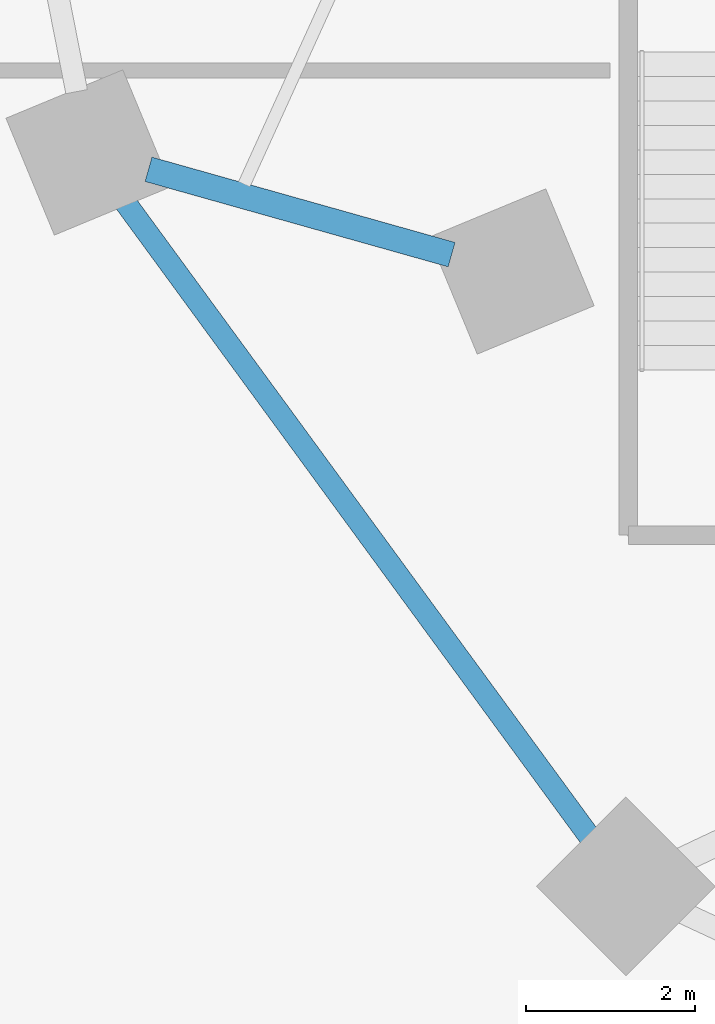
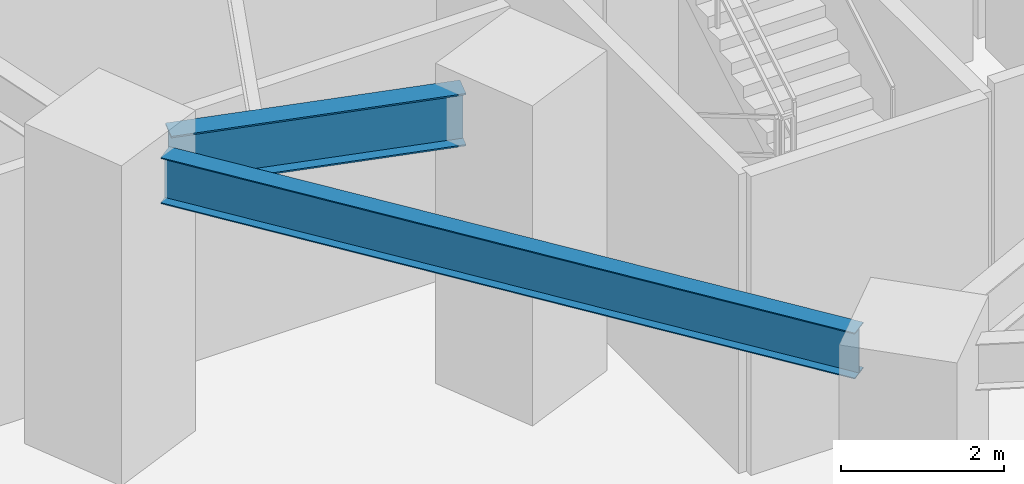
# One storey, part 7 of 36: 2 beams.
"""IFC4 building model written with IfcOpenShell, lengths in metres."""

from ifc_helpers import new_model, si_unit, direction, frame, origin, origin_2d, place, context, subcontext, project, spatial, i_section, extrude, material, material_profile, profile_set, type_object, element, save


model = new_model("IFC4")

# Units and contexts
model_context = context("Model", 3, precision=1e-05, world=origin(), true_north=direction((0.0, 1.0)))
body_context = subcontext(model_context, "Body", "Model", "MODEL_VIEW")
ifc_project = project(units=[si_unit("LENGTHUNIT", "METRE"), si_unit("AREAUNIT", "SQUARE_METRE"), si_unit("VOLUMEUNIT", "CUBIC_METRE"), si_unit("PLANEANGLEUNIT", "RADIAN"), si_unit("MASSUNIT", "GRAM", prefix="KILO")], contexts=[model_context])

# Site, building, storey
site_placement = place(None, origin())
site = spatial("IfcSite", under=ifc_project, at=site_placement, CompositionType="ELEMENT")
building_placement = place(site_placement, origin())
building = spatial("IfcBuilding", under=site, at=building_placement, Name="Vorneva Point Tower", CompositionType="ELEMENT")
storey_placement = place(building_placement, origin())
storey = spatial("IfcBuildingStorey", under=building, at=storey_placement, Name="L00", CompositionType="ELEMENT", Elevation=0.0)

# Beams
ifc_material = material(Name="Steel S355", Category="steel")
ifc_material_profile_1 = material_profile(ifc_material, i_section(OverallWidth=0.300048828125, OverallDepth=0.7880859375, WebThickness=0.014404296875, FlangeThickness=0.02197265625, at=origin_2d()), Name="80Sh1")
ifc_profile_set_1 = profile_set([ifc_material_profile_1], Name="Steel S355")
beam_type_1 = type_object("IfcBeamType", Name="BM-GRD-80Sh1", PredefinedType="USERDEFINED", material=ifc_profile_set_1)
beam_1_placement = place(storey_placement, frame((12.3984375, 20.629638671875, 4.0859375), z_axis=(0.962604080358, -0.27091213424, 0.0), x_axis=(0.27091213424, 0.962604080358, 0.0)))
element("IfcBeam", 1, at=beam_1_placement, inside=storey, type_object=beam_type_1, Name="L00 Radial Primary Girder 10", ObjectType="GIRDER", PredefinedType="USERDEFINED", context=body_context, shape_type="SweptSolid", body=[
    extrude(i_section(OverallWidth=0.300048828125, OverallDepth=0.7880859375, WebThickness=0.014404296875, FlangeThickness=0.02197265625, at=origin_2d()), origin(), (0.0, 0.0, 1.0), 3.7353515625),
])
ifc_material_profile_2 = material_profile(ifc_material, i_section(OverallWidth=0.260009765625, OverallDepth=0.69091796875, WebThickness=0.011962890625, FlangeThickness=0.015380859375, at=origin_2d()), Name="70B1")
ifc_profile_set_2 = profile_set([ifc_material_profile_2], Name="Steel S355")
beam_type_2 = type_object("IfcBeamType", Name="BM-SPN-70B1", PredefinedType="SPANDREL", material=ifc_profile_set_2)
beam_2_placement = place(storey_placement, frame((12.122314453125, 20.236572265625, 4.134521484375), z_axis=(0.590717225993, -0.806878651914, 0.0), x_axis=(0.806878651914, 0.590717225993, 0.0)))
element("IfcBeam", 2, at=beam_2_placement, inside=storey, type_object=beam_type_2, Name="L00 Perimeter Spandrel Ring Beam 10", PredefinedType="SPANDREL", context=body_context, shape_type="SweptSolid", body=[
    extrude(i_section(OverallWidth=0.260009765625, OverallDepth=0.69091796875, WebThickness=0.011962890625, FlangeThickness=0.015380859375, at=origin_2d()), origin(), (0.0, 0.0, 1.0), 9.319091796875),
])

save(model, "model.ifc")
